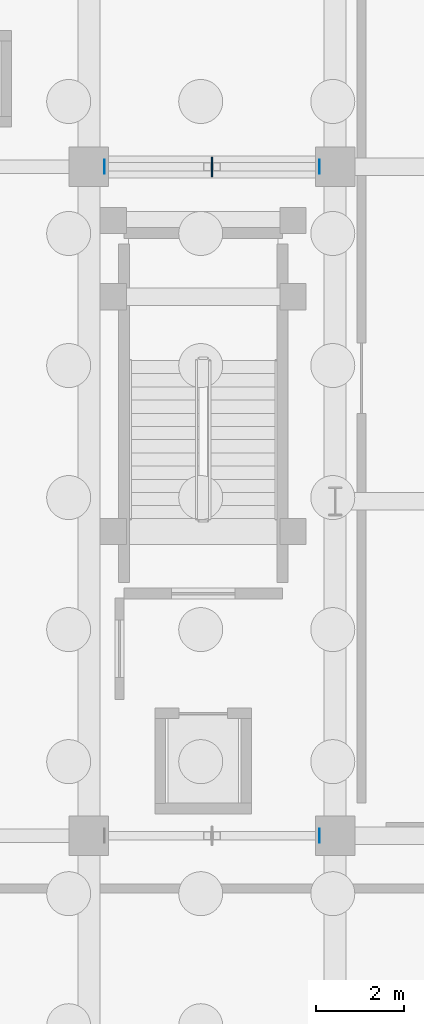
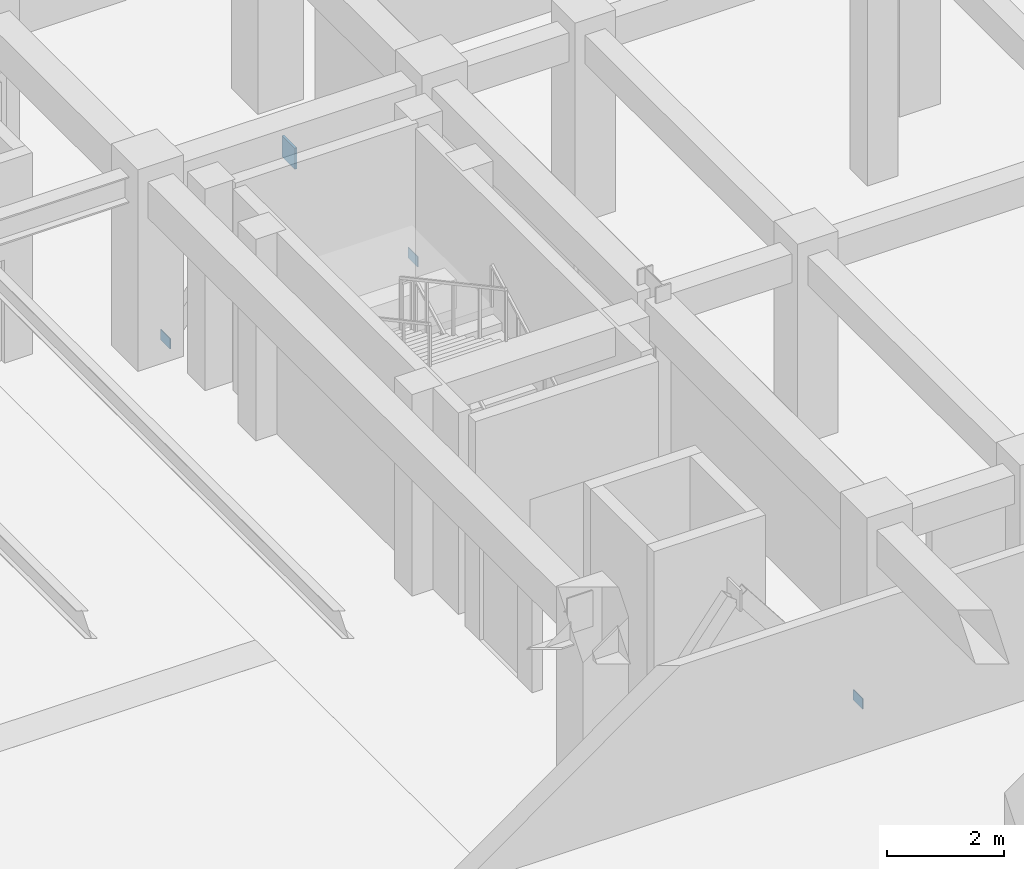
# One storey, part 23 of 33: 4 plates.
"""IFC4 building model written with IfcOpenShell, lengths in metres."""

from ifc_helpers import new_model, si_unit, direction, frame, origin, origin_2d, place, context, subcontext, project, spatial, rectangle, extrude, material, layer, layer_set, type_object, element, save


model = new_model("IFC4")

# Units and contexts
model_context = context("Model", 3, precision=1e-05, world=origin(), true_north=direction((0.0, 1.0)))
body_context = subcontext(model_context, "Body", "Model", "MODEL_VIEW")
ifc_project = project(units=[si_unit("LENGTHUNIT", "METRE"), si_unit("AREAUNIT", "SQUARE_METRE"), si_unit("VOLUMEUNIT", "CUBIC_METRE"), si_unit("PLANEANGLEUNIT", "RADIAN"), si_unit("MASSUNIT", "GRAM", prefix="KILO")], contexts=[model_context])

# Site, building, storey
site_placement = place(None, origin())
site = spatial("IfcSite", under=ifc_project, at=site_placement, CompositionType="ELEMENT")
building_placement = place(site_placement, origin())
building = spatial("IfcBuilding", under=site, at=building_placement, Name="Saryqyr Civic Hall", CompositionType="ELEMENT")
storey_placement = place(building_placement, frame((0.0, 0.0, -4.199951171875)))
storey = spatial("IfcBuildingStorey", under=building, at=storey_placement, Name="B1", CompositionType="ELEMENT", Elevation=-4.199951171875)

# Plates
ifc_material = material(Name="Steel S355", Category="steel")
ifc_layer_1 = layer(ifc_material, 0.01611328125, Name="Steel S355")
ifc_layer_set_1 = layer_set([ifc_layer_1], Name="Steel S355")
plate_type_1 = type_object("IfcPlateType", Name="STR-PLT-CAP16", PredefinedType="USERDEFINED", material=ifc_layer_set_1)
for number, where, z_axis, x_axis, name in (
    (1, (69.840087890625, 76.39990234375, 0.009765625), (0.0, 0.0, 1.0), (1.0, 0.0, 0.0), "Hollow section end cap V1-BRCAP-2B0-B1"),
    (2, (64.9599609375, 91.60009765625, 0.009765625), (0.0, 0.0, 1.0), (1.0, 0.0, 0.0), "Hollow section end cap V1-BRCAP-4A0-B1"),
    (3, (69.840087890625, 91.60009765625, 0.009765625), (0.0, 0.0, 1.0), (1.0, 0.0, 0.0), "Hollow section end cap V1-BRCAP-4B0-B1"),
):
    element("IfcPlate", number, at=place(storey_placement, frame(where, z_axis=z_axis, x_axis=x_axis)), inside=storey, type_object=plate_type_1, Name=name, ObjectType="FLANGE_PLATE", PredefinedType="USERDEFINED", context=body_context, shape_type="SweptSolid", body=[
        extrude(rectangle(XDim=0.01611328125, YDim=0.320068359375, at=origin_2d()), origin(), (0.0, 0.0, 1.0), 0.219970703125),
    ])
ifc_layer_2 = layer(ifc_material, 0.0400390625, Name="Steel S355")
ifc_layer_set_2 = layer_set([ifc_layer_2], Name="Steel S355")
plate_type_2 = type_object("IfcPlateType", Name="STR-PLT-GUS40", PredefinedType="USERDEFINED", material=ifc_layer_set_2)
plate_placement = place(storey_placement, frame((67.39990234375, 91.60009765625, 2.93994140625), z_axis=(0.0, 0.0, 1.0), x_axis=(1.0, 0.0, 0.0)))
element("IfcPlate", 4, at=plate_placement, inside=storey, type_object=plate_type_2, Name="Hollow section end cap V1-BRGUS-4-B1", ObjectType="FLANGE_PLATE", PredefinedType="USERDEFINED", context=body_context, shape_type="SweptSolid", body=[
    extrude(rectangle(XDim=0.0400390625, YDim=0.43994140625, at=origin_2d()), origin(), (0.0, 0.0, 1.0), 0.43994140625),
])

save(model, "model.ifc")
